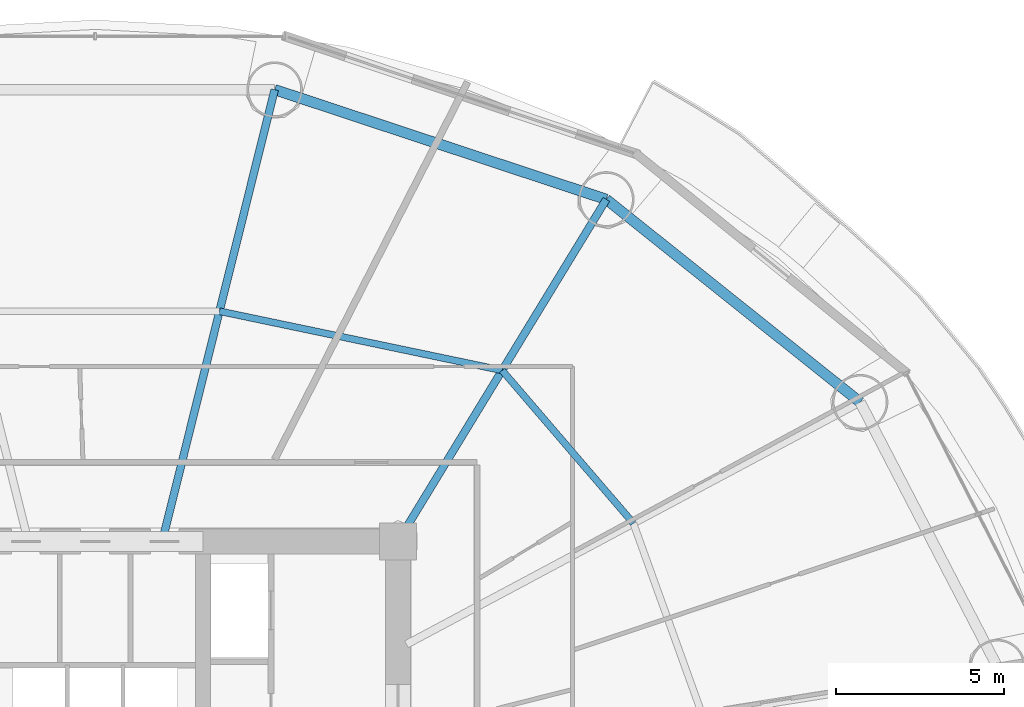
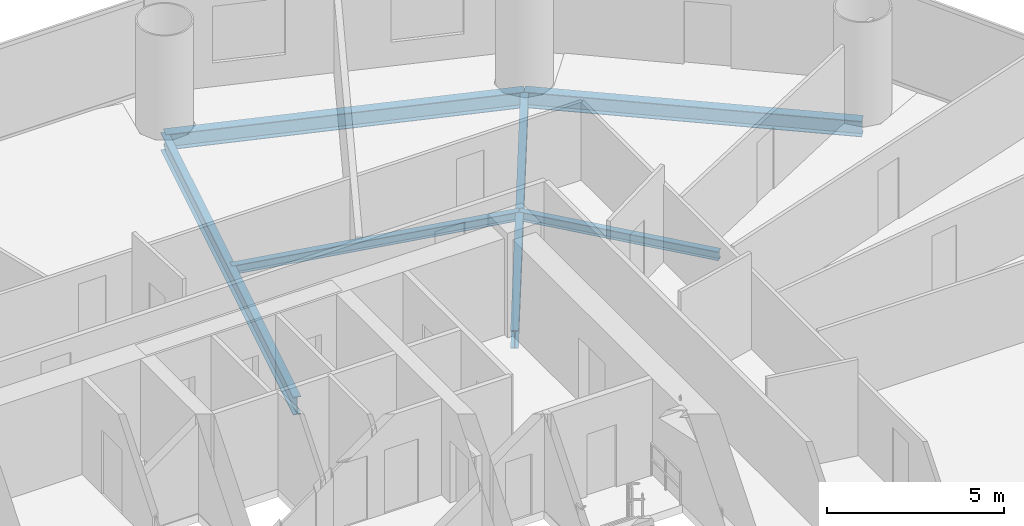
# One storey, part 18 of 29: 6 beams.
"""IFC4 building model written with IfcOpenShell, lengths in metres."""

import ifcopenshell
import ifcopenshell.guid

model = None  # the IFC model being written
_history = None  # IfcOwnerHistory: only IFC2X3 demands one
_inside = {}  # id of a spatial element -> (the spatial element, [elements in it])
_under = {}  # id of a project, library or spatial element -> (it, [spatial elements below it])
_declared = {}  # id of a project -> (the project, [libraries it declares])
_typed = {}  # id of a type object -> (the type object, [elements of that type])
_made_of = {}  # id of a material, layer set ... -> (it, [elements and type objects made of it])


def new_model(schema):
    """Start an empty IFC model of exactly this schema.

    Asked for "IFC4X3", IfcOpenShell would pick the latest addendum, in which some entities
    have other attributes; the version numbers below select the first issue.
    IFC2X3 requires an IfcOwnerHistory on every rooted entity: one is made here for all.
    """
    global model, _history
    if schema == "IFC4X3":
        model = ifcopenshell.file(schema_version=(4, 3, 0, 0))
    else:
        model = ifcopenshell.file(schema=schema)
    _inside.clear()
    _under.clear()
    _declared.clear()
    _typed.clear()
    _made_of.clear()
    _history = None
    if model.schema == "IFC2X3":
        org = make("IfcOrganization", Name="unknown")
        user = make(
            "IfcPersonAndOrganization",
            ThePerson=make("IfcPerson", FamilyName="unknown"),
            TheOrganization=org,
        )
        app = make(
            "IfcApplication",
            ApplicationDeveloper=org,
            Version="unknown",
            ApplicationFullName="unknown",
            ApplicationIdentifier="unknown",
        )
        _history = make(
            "IfcOwnerHistory",
            OwningUser=user,
            OwningApplication=app,
            ChangeAction="ADDED",
            CreationDate=0,
        )
    return model


def make(cls, **values):
    """One entity of the class cls with the attributes given. An attribute that is None is left unset."""
    return model.create_entity(
        cls, **{name: value for name, value in values.items() if value is not None}
    )


def rooted(cls, **values):
    """An entity with a GlobalId (a new one), such as an element, a storey or a relation."""
    return make(cls, GlobalId=ifcopenshell.guid.new(), OwnerHistory=_history, **values)


def si_unit(unit_type, name, prefix=None):
    """IfcSIUnit, for example si_unit("LENGTHUNIT", "METRE", prefix="MILLI")."""
    return make("IfcSIUnit", UnitType=unit_type, Prefix=prefix, Name=name)


def assignment(units):
    """IfcUnitAssignment: the units of a project."""
    return None if units is None else make("IfcUnitAssignment", Units=units)


def point(xyz):
    """IfcCartesianPoint."""
    return None if xyz is None else make("IfcCartesianPoint", Coordinates=xyz)


def direction(xyz):
    """IfcDirection."""
    return None if xyz is None else make("IfcDirection", DirectionRatios=xyz)


def frame(location, z_axis=None, x_axis=None):
    """IfcAxis2Placement3D, a coordinate frame: its origin and axes. An axis left out is left unset."""
    return make(
        "IfcAxis2Placement3D",
        Location=point(location),
        Axis=direction(z_axis),
        RefDirection=direction(x_axis),
    )


def frame_2d(location, x_axis=None):
    """IfcAxis2Placement2D, a coordinate frame in the plane: its origin and x axis."""
    return make(
        "IfcAxis2Placement2D", Location=point(location), RefDirection=direction(x_axis)
    )


def origin():
    """The frame at (0, 0, 0) with its axes left unset."""
    return frame((0.0, 0.0, 0.0))


def origin_2d():
    """The frame at (0, 0) in the plane with its x axis left unset."""
    return frame_2d((0.0, 0.0))


def place(relative_to, where):
    """IfcLocalPlacement: puts the frame where relative to a parent placement (None: the world)."""
    return make(
        "IfcLocalPlacement", PlacementRelTo=relative_to, RelativePlacement=where
    )


def context(
    kind, dimensions, precision=None, world=None, true_north=None, identifier=None
):
    """IfcGeometricRepresentationContext, for example the 3D "Model" context."""
    return make(
        "IfcGeometricRepresentationContext",
        ContextIdentifier=identifier,
        ContextType=kind,
        CoordinateSpaceDimension=dimensions,
        Precision=precision,
        WorldCoordinateSystem=world,
        TrueNorth=true_north,
    )


def subcontext(parent, identifier, kind, view, scale=None):
    """IfcGeometricRepresentationSubContext, for example "Body" below "Model"."""
    return make(
        "IfcGeometricRepresentationSubContext",
        ContextIdentifier=identifier,
        ContextType=kind,
        ParentContext=parent,
        TargetScale=scale,
        TargetView=view,
    )


def project(units=None, contexts=None):
    """IfcProject with its units and contexts."""
    return rooted(
        "IfcProject",
        Name="project",
        RepresentationContexts=contexts,
        UnitsInContext=assignment(units),
    )


def spatial(cls, under=None, at=None, **own):
    """A site, building, storey or space (cls), placed at a placement, below another one or the project."""
    s = rooted(cls, ObjectPlacement=at, **own)
    if under is not None:
        _under.setdefault(under.id(), (under, []))[1].append(s)
    return s


def profile(cls, at=None, kind="AREA", **sizes):
    """A parametric profile (cls). Its sizes go by their IFC names, for example OverallWidth=200.0."""
    return make(cls, ProfileType=kind, Position=at, **sizes)


def i_section(**sizes):
    """IfcIShapeProfileDef."""
    return profile("IfcIShapeProfileDef", **sizes)


def extrude(swept, where, along, depth):
    """IfcExtrudedAreaSolid: the profile swept, set in the frame where, extruded along a direction by depth."""
    return make(
        "IfcExtrudedAreaSolid",
        SweptArea=swept,
        Position=where,
        ExtrudedDirection=direction(along),
        Depth=depth,
    )


def shape(context_of_items, identifier, shape_type, items):
    """IfcShapeRepresentation: the items that make up one representation, for example the "Body"."""
    return make(
        "IfcShapeRepresentation",
        ContextOfItems=context_of_items,
        RepresentationIdentifier=identifier,
        RepresentationType=shape_type,
        Items=items,
    )


def material(Name=None, Category=None):
    """IfcMaterial."""
    return make("IfcMaterial", Name=Name, Category=Category)


def material_profile(
    of_material, cross_section, Name=None, Category=None, Priority=None
):
    """IfcMaterialProfile: a cross section and its material."""
    return make(
        "IfcMaterialProfile",
        Name=Name,
        Material=of_material,
        Profile=cross_section,
        Priority=Priority,
        Category=Category,
    )


def profile_set(profiles, Name=None, composite=None):
    """IfcMaterialProfileSet."""
    return make(
        "IfcMaterialProfileSet",
        Name=Name,
        MaterialProfiles=profiles,
        CompositeProfile=composite,
    )


def made_of(thing, what):
    """Note that an element or type object is made of a material, layer set ...; save() writes the relation."""
    if what is not None:
        _made_of.setdefault(what.id(), (what, []))[1].append(thing)
    return thing


def type_object(cls, material=None, **own):
    """A type object (cls), such as IfcWallType, which elements share."""
    return made_of(rooted(cls, **own), material)


def element(
    cls,
    number,
    at=None,
    inside=None,
    cuts=None,
    type_object=None,
    material=None,
    context=None,
    identifier="Body",
    shape_type=None,
    held_by="IfcProductDefinitionShape",
    body=None,
    shapes=None,
    **own,
):
    """One element of the class cls, such as IfcWall. Its Tag is "e" and its number.

    at: its placement. inside: the storey or other place that contains it. cuts: it is an
    opening in that element (IfcRelVoidsElement). A single representation is given by context,
    identifier, shape_type and body (its items); several are given by shapes. held_by: the class
    of the entity that holds the representations. save() writes the other relations.
    """
    e = rooted(cls, Tag="e%d" % number, ObjectPlacement=at, **own)
    if body is not None:
        shapes = [shape(context, identifier, shape_type, body)]
    if shapes is not None:
        e.Representation = make(held_by, Representations=shapes)
    if inside is not None:
        _inside.setdefault(inside.id(), (inside, []))[1].append(e)
    if cuts is not None:
        rooted(
            "IfcRelVoidsElement", RelatingBuildingElement=cuts, RelatedOpeningElement=e
        )
    if type_object is not None:
        _typed.setdefault(type_object.id(), (type_object, []))[1].append(e)
    return made_of(e, material)


def aggregate(whole, parts):
    """IfcRelAggregates: a whole, such as a stair, and the parts it consists of."""
    return rooted("IfcRelAggregates", RelatingObject=whole, RelatedObjects=parts)


def save(model, path):
    """Write the relations noted so far, then the file.

    IfcRelAggregates (storeys below a building ...), IfcRelContainedInSpatialStructure (elements
    in a storey), IfcRelDefinesByType, IfcRelAssociatesMaterial and IfcRelDeclares: one each for
    every whole, place, type object, material and project.
    """
    for whole, parts in _under.values():
        aggregate(whole, parts)
    for where, things in _inside.values():
        rooted(
            "IfcRelContainedInSpatialStructure",
            RelatedElements=things,
            RelatingStructure=where,
        )
    for kind, things in _typed.values():
        rooted("IfcRelDefinesByType", RelatedObjects=things, RelatingType=kind)
    for what, things in _made_of.values():
        rooted("IfcRelAssociatesMaterial", RelatedObjects=things, RelatingMaterial=what)
    for by, libraries in _declared.values():
        rooted("IfcRelDeclares", RelatingContext=by, RelatedDefinitions=libraries)
    model.write(path)


model = new_model("IFC4")

# Units and contexts
model_context = context("Model", 3, precision=1e-05, world=origin(), true_north=direction((-0.2419218956, 0.970295726276)))
body_context = subcontext(model_context, "Body", "Model", "MODEL_VIEW")
ifc_project = project(units=[si_unit("LENGTHUNIT", "METRE"), si_unit("AREAUNIT", "SQUARE_METRE"), si_unit("VOLUMEUNIT", "CUBIC_METRE"), si_unit("PLANEANGLEUNIT", "RADIAN"), si_unit("MASSUNIT", "GRAM", prefix="KILO")], contexts=[model_context])

# Site, building, storey
site_placement = place(None, origin())
site = spatial("IfcSite", under=ifc_project, at=site_placement, CompositionType="ELEMENT")
building_placement = place(site_placement, origin())
building = spatial("IfcBuilding", under=site, at=building_placement, Name="Cobrevalo Terracotta Tower", CompositionType="ELEMENT")
storey_placement = place(building_placement, frame((0.0, 0.0, 45.60009765625)))
storey = spatial("IfcBuildingStorey", under=building, at=storey_placement, Name="L11", CompositionType="ELEMENT", Elevation=45.60009765625)

# Beams
ifc_material = material(Name="Steel S355", Category="steel")
ifc_material_profile_1 = material_profile(ifc_material, i_section(OverallWidth=0.22998046875, OverallDepth=0.616943359375, WebThickness=0.01318359375, FlangeThickness=0.022216796875, at=origin_2d()), Name="W 610x140")
ifc_profile_set_1 = profile_set([ifc_material_profile_1], Name="Steel S355")
beam_type_1 = type_object("IfcBeamType", Name="Structural Beam W 610x140 (Steel S355)", PredefinedType="BEAM", material=ifc_profile_set_1)
beam_1_placement = place(storey_placement, frame((53.19482421875, 44.967529296875, -0.588623046875), z_axis=(-0.520309892051, -0.853977526773, 0.0), x_axis=(0.853977526773, -0.520309892051, 0.0)))
element("IfcBeam", 1, at=beam_1_placement, inside=storey, type_object=beam_type_1, Name="L11 radial floor girder 03", PredefinedType="BEAM", context=body_context, shape_type="SweptSolid", body=[
    extrude(i_section(OverallWidth=0.22998046875, OverallDepth=0.616943359375, WebThickness=0.01318359375, FlangeThickness=0.022216796875, at=origin_2d()), origin(), (0.0, 0.0, 1.0), 11.906005859375),
])
beam_2_placement = place(storey_placement, frame((43.335693359375, 48.230224609375, -0.588623046875), z_axis=(-0.241596254786, -0.970376859614, 0.0), x_axis=(0.970376859614, -0.241596254786, 0.0)))
element("IfcBeam", 2, at=beam_2_placement, inside=storey, type_object=beam_type_1, Name="L11 radial floor girder 04", PredefinedType="BEAM", context=body_context, shape_type="SweptSolid", body=[
    extrude(i_section(OverallWidth=0.22998046875, OverallDepth=0.616943359375, WebThickness=0.01318359375, FlangeThickness=0.022216796875, at=origin_2d()), origin(), (0.0, 0.0, 1.0), 13.577392578125),
])
ifc_material_profile_2 = material_profile(ifc_material, i_section(OverallWidth=0.2041015625, OverallDepth=0.305908203125, WebThickness=0.008544921875, FlangeThickness=0.0146484375, at=origin_2d()), Name="W 310x67")
ifc_profile_set_2 = profile_set([ifc_material_profile_2], Name="Steel S355")
beam_type_2 = type_object("IfcBeamType", Name="Structural Joist W 310x67 (Steel S355)", PredefinedType="JOIST", material=ifc_profile_set_2)
beam_3_placement = place(storey_placement, frame((53.997802734375, 35.33984375, -0.43310546875), z_axis=(-0.651328404454, 0.758795960421, 0.0), x_axis=(-0.758795960421, -0.651328404454, 0.0)))
element("IfcBeam", 3, at=beam_3_placement, inside=storey, type_object=beam_type_2, Name="L11 circumferential secondary floor joist 02", PredefinedType="JOIST", context=body_context, shape_type="SweptSolid", body=[
    extrude(i_section(OverallWidth=0.2041015625, OverallDepth=0.305908203125, WebThickness=0.008544921875, FlangeThickness=0.0146484375, at=origin_2d()), origin(), (0.0, 0.0, 1.0), 5.98828125),
])
beam_4_placement = place(storey_placement, frame((50.097412109375, 39.8837890625, -0.43310546875), z_axis=(-0.978784523904, 0.204892302848, 0.0), x_axis=(-0.204892302848, -0.978784523904, 0.0)))
element("IfcBeam", 4, at=beam_4_placement, inside=storey, type_object=beam_type_2, Name="L11 circumferential secondary floor joist 03", PredefinedType="JOIST", context=body_context, shape_type="SweptSolid", body=[
    extrude(i_section(OverallWidth=0.2041015625, OverallDepth=0.305908203125, WebThickness=0.008544921875, FlangeThickness=0.0146484375, at=origin_2d()), origin(), (0.0, 0.0, 1.0), 8.583984375),
])
ifc_material_profile_3 = material_profile(ifc_material, i_section(OverallWidth=0.31201171875, OverallDepth=0.54296875, WebThickness=0.0126953125, FlangeThickness=0.020263671875, at=origin_2d()), Name="W 530x150")
ifc_profile_set_3 = profile_set([ifc_material_profile_3], Name="Steel S355")
beam_type_3 = type_object("IfcBeamType", Name="Structural Spandrel W 530x150 (Steel S355)", PredefinedType="SPANDREL", material=ifc_profile_set_3)
beam_5_placement = place(storey_placement, frame((60.74072265625, 38.939208984375, -0.551513671875), z_axis=(-0.781292806807, 0.62416468182, 0.0), x_axis=(-0.62416468182, -0.781292806807, 0.0)))
element("IfcBeam", 5, at=beam_5_placement, inside=storey, type_object=beam_type_3, Name="L11 perimeter ring spandrel 02", PredefinedType="SPANDREL", context=body_context, shape_type="SweptSolid", body=[
    extrude(i_section(OverallWidth=0.31201171875, OverallDepth=0.54296875, WebThickness=0.0126953125, FlangeThickness=0.020263671875, at=origin_2d()), origin(), (0.0, 0.0, 1.0), 9.658203125),
])
beam_6_placement = place(storey_placement, frame((53.19482421875, 44.967529296875, -0.551513671875), z_axis=(-0.949365190876, 0.314174687638, 0.0), x_axis=(-0.314174687638, -0.949365190876, 0.0)))
element("IfcBeam", 6, at=beam_6_placement, inside=storey, type_object=beam_type_3, Name="L11 perimeter ring spandrel 03", PredefinedType="SPANDREL", context=body_context, shape_type="SweptSolid", body=[
    extrude(i_section(OverallWidth=0.31201171875, OverallDepth=0.54296875, WebThickness=0.0126953125, FlangeThickness=0.020263671875, at=origin_2d()), origin(), (0.0, 0.0, 1.0), 10.385009765625),
])

save(model, "model.ifc")
